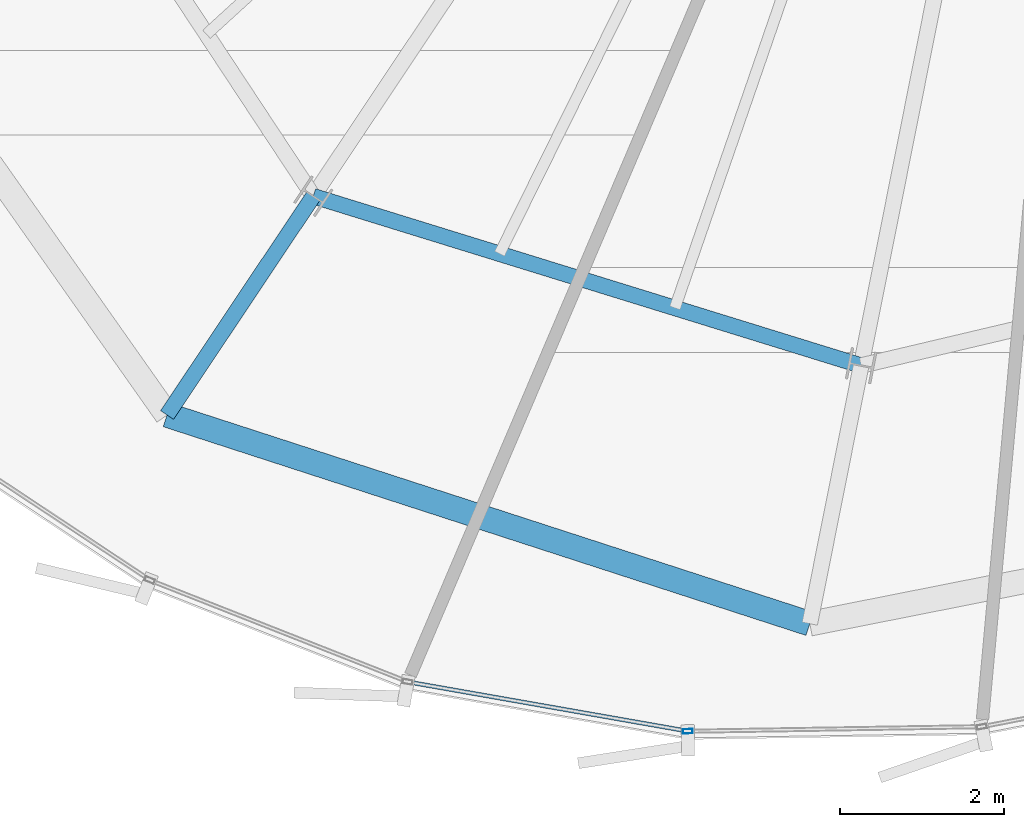
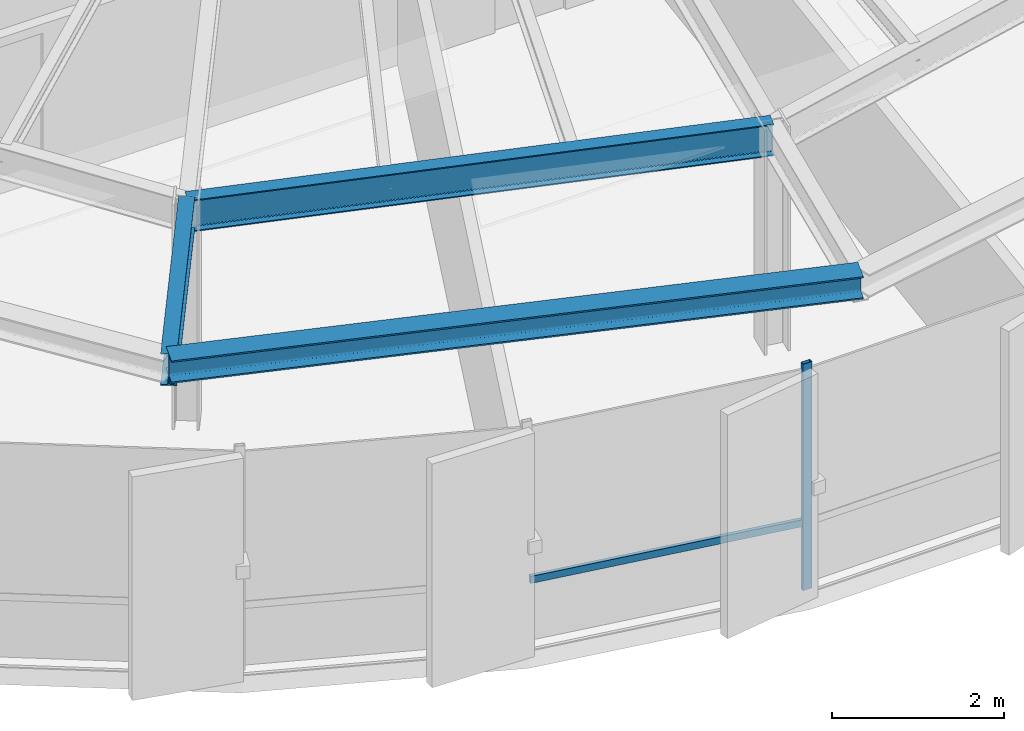
# One storey, part 3 of 33: 3 beams, 2 members, 1 element without a shape of its own.
"""IFC4 building model written with IfcOpenShell, lengths in metres."""

from ifc_helpers import new_model, si_unit, direction, frame, origin, origin_2d, place, context, subcontext, project, spatial, hollow_rectangle, i_section, extrude, source, transform, mapped, material, layer, layer_set, material_profile, profile_set, type_object, element, aggregate, save


model = new_model("IFC4")

# Units and contexts
model_context = context("Model", 3, precision=1e-05, world=origin(), true_north=direction((0.0, 1.0)))
body_context = subcontext(model_context, "Body", "Model", "MODEL_VIEW")
ifc_project = project(units=[si_unit("LENGTHUNIT", "METRE"), si_unit("AREAUNIT", "SQUARE_METRE"), si_unit("VOLUMEUNIT", "CUBIC_METRE"), si_unit("PLANEANGLEUNIT", "RADIAN"), si_unit("MASSUNIT", "GRAM", prefix="KILO"), si_unit("THERMODYNAMICTEMPERATUREUNIT", "KELVIN")], contexts=[model_context])

# Site, building, storey
site_placement = place(None, origin())
site = spatial("IfcSite", under=ifc_project, at=site_placement, CompositionType="ELEMENT")
building_placement = place(site_placement, origin())
building = spatial("IfcBuilding", under=site, at=building_placement, Name="Kethvar Cultural Tower", CompositionType="ELEMENT")
storey_placement = place(building_placement, frame((0.0, 0.0, 238.75)))
storey = spatial("IfcBuildingStorey", under=building, at=storey_placement, Name="L62", CompositionType="ELEMENT", Elevation=238.75)

# Beams
ifc_material_1 = material(Name="Steel S355J2", Category="steel")
ifc_material_profile_1 = material_profile(ifc_material_1, i_section(OverallWidth=0.18994140625, OverallDepth=0.449951171875, WebThickness=0.009521484375, FlangeThickness=0.0146484375, FilletRadius=0.02099609375, at=origin_2d()), Name="Steel S355J2 — IPE450")
ifc_profile_set_1 = profile_set([ifc_material_profile_1], Name="Steel S355J2 — IPE450")
beam_type_1 = type_object("IfcBeamType", Name="BM-IPE450", PredefinedType="BEAM", material=ifc_profile_set_1)
shared_shape_1 = source(origin(), body_context, "Body", "SweptSolid", [
    extrude(i_section(OverallWidth=0.18994140625, OverallDepth=0.449951171875, WebThickness=0.009521484375, FlangeThickness=0.0146484375, FilletRadius=0.02099609375, at=origin_2d()), origin(), (0.0, 0.0, 1.0), 3.199951171875),
])
beam_1_placement = place(storey_placement, frame((36.731201171875, 12.73095703125, 2.98291015625), z_axis=(-0.555580212716, -0.831462943996, 0.0), x_axis=(0.831462943996, -0.555580212716, 0.0)))
element("IfcBeam", 1, at=beam_1_placement, inside=storey, type_object=beam_type_1, Name="L62 Perimeter Cantilever Beam RC-11", PredefinedType="BEAM", context=body_context, shape_type="MappedRepresentation", body=[
    mapped(shared_shape_1, transform((0.0, 0.0, 0.0), scale=1.0)),
])
shared_shape_2 = source(origin(), body_context, "Body", "SweptSolid", [
    extrude(i_section(OverallWidth=0.18994140625, OverallDepth=0.449951171875, WebThickness=0.009521484375, FlangeThickness=0.0146484375, FilletRadius=0.02099609375, at=origin_2d()), origin(), (0.0, 0.0, 1.0), 6.97265625),
])
beam_2_placement = place(storey_placement, frame((36.731201171875, 12.73095703125, 2.98291015625), z_axis=(0.955381444404, -0.295374839295, 0.0), x_axis=(0.295374839295, 0.955381444404, 0.0)))
element("IfcBeam", 2, at=beam_2_placement, inside=storey, type_object=beam_type_1, Name="L62 Column Ring Tie Beam CR-11", PredefinedType="BEAM", context=body_context, shape_type="MappedRepresentation", body=[
    mapped(shared_shape_2, transform((0.0, 0.0, 0.0), scale=1.0)),
])
ifc_material_profile_2 = material_profile(ifc_material_1, i_section(OverallWidth=0.300048828125, OverallDepth=0.320068359375, WebThickness=0.011474609375, FlangeThickness=0.0205078125, FilletRadius=0.027099609375, at=origin_2d()), Name="Steel S355J2 — HEB320")
ifc_profile_set_2 = profile_set([ifc_material_profile_2], Name="Steel S355J2 — HEB320")
beam_type_2 = type_object("IfcBeamType", Name="BM-SP320", PredefinedType="SPANDREL", material=ifc_profile_set_2)
shared_shape_3 = source(origin(), body_context, "Body", "SweptSolid", [
    extrude(i_section(OverallWidth=0.300048828125, OverallDepth=0.320068359375, WebThickness=0.011474609375, FlangeThickness=0.0205078125, FilletRadius=0.027099609375, at=origin_2d()), origin(), (0.0, 0.0, 1.0), 8.216796875),
])
beam_3_placement = place(storey_placement, frame((34.953369140625, 10.0703125, 3.048095703125), z_axis=(0.951117661456, -0.30882874553, 0.0), x_axis=(0.30882874553, 0.951117661456, 0.0)))
element("IfcBeam", 3, at=beam_3_placement, inside=storey, type_object=beam_type_2, Name="L62 Perimeter Spandrel Beam SP-11", PredefinedType="SPANDREL", context=body_context, shape_type="MappedRepresentation", body=[
    mapped(shared_shape_3, transform((0.0, 0.0, 0.0), scale=1.0)),
])

# Curtain wall, members
ifc_material_2 = material(Name="Aluminium 6063-T6", Category="aluminium")
ifc_layer = layer(ifc_material_2, 0.179931640625, Name="Aluminium 6063-T6", Category="aluminium")
ifc_layer_set = layer_set([ifc_layer], Name="Aluminium 6063-T6 (180 mm)")
curtain_wall_type = type_object("IfcCurtainWallType", Name="CW-SYS-05-Z56", PredefinedType="NOTDEFINED", material=ifc_layer_set)
curtain_wall_placement = place(storey_placement, origin())
curtain_wall = element("IfcCurtainWall", 4, at=curtain_wall_placement, inside=storey, type_object=curtain_wall_type, Name="L62 Curtain Wall Run 04", PredefinedType="NOTDEFINED")
ifc_material_profile_3 = material_profile(ifc_material_2, hollow_rectangle(XDim=0.054931640625, YDim=0.1201171875, WallThickness=0.00390625, at=origin_2d()), Name="Aluminium 6063-T6 — RHS120x55x4")
ifc_profile_set_3 = profile_set([ifc_material_profile_3], Name="Aluminium 6063-T6 — RHS120x55x4")
member_type_1 = type_object("IfcMemberType", Name="CW-SYS-05-Z56-MUL", PredefinedType="MULLION", material=ifc_profile_set_3)
shared_shape_4 = source(origin(), body_context, "Body", "SweptSolid", [
    extrude(hollow_rectangle(XDim=0.054931640625, YDim=0.1201171875, WallThickness=0.00390625, at=origin_2d()), origin(), (0.0, 0.0, 1.0), 3.2099609375),
])
member_1_placement = place(storey_placement, frame((41.284912109375, 6.224853515625, 0.0), z_axis=(0.0, 0.0, 1.0), x_axis=(-0.015759670708, 0.999875808678, 0.0)))
member_1 = element("IfcMember", 5, at=member_1_placement, type_object=member_type_1, Name="CW-L62-R04 Mullion 4", PredefinedType="MULLION", context=body_context, shape_type="MappedRepresentation", body=[
    mapped(shared_shape_4, transform((0.0, 0.0, 0.0), scale=1.0)),
])
ifc_material_profile_4 = material_profile(ifc_material_2, hollow_rectangle(XDim=0.050048828125, YDim=0.10009765625, WallThickness=0.00390625, at=origin_2d()), Name="Aluminium 6063-T6 — RHS100x50x4")
ifc_profile_set_4 = profile_set([ifc_material_profile_4], Name="Aluminium 6063-T6 — RHS100x50x4")
member_type_2 = type_object("IfcMemberType", Name="CW-SYS-05-Z56-TRN", PredefinedType="USERDEFINED", material=ifc_profile_set_4)
shared_shape_5 = source(origin(), body_context, "Body", "SweptSolid", [
    extrude(hollow_rectangle(XDim=0.050048828125, YDim=0.10009765625, WallThickness=0.00390625, at=origin_2d()), origin(), (0.0, 0.0, 1.0), 3.398681640625),
])
member_2_placement = place(storey_placement, frame((37.917236328125, 6.818359375, 0.949951171875), z_axis=(0.98490120578, -0.173117344171, 0.0), x_axis=(0.173117344171, 0.98490120578, 0.0)))
member_2 = element("IfcMember", 6, at=member_2_placement, type_object=member_type_2, Name="CW-L62-R04 Transom 3", ObjectType="TRANSOM", PredefinedType="USERDEFINED", context=body_context, shape_type="MappedRepresentation", body=[
    mapped(shared_shape_5, transform((0.0, 0.0, 0.0), scale=1.0)),
])
aggregate(curtain_wall, [member_1, member_2])

save(model, "model.ifc")
